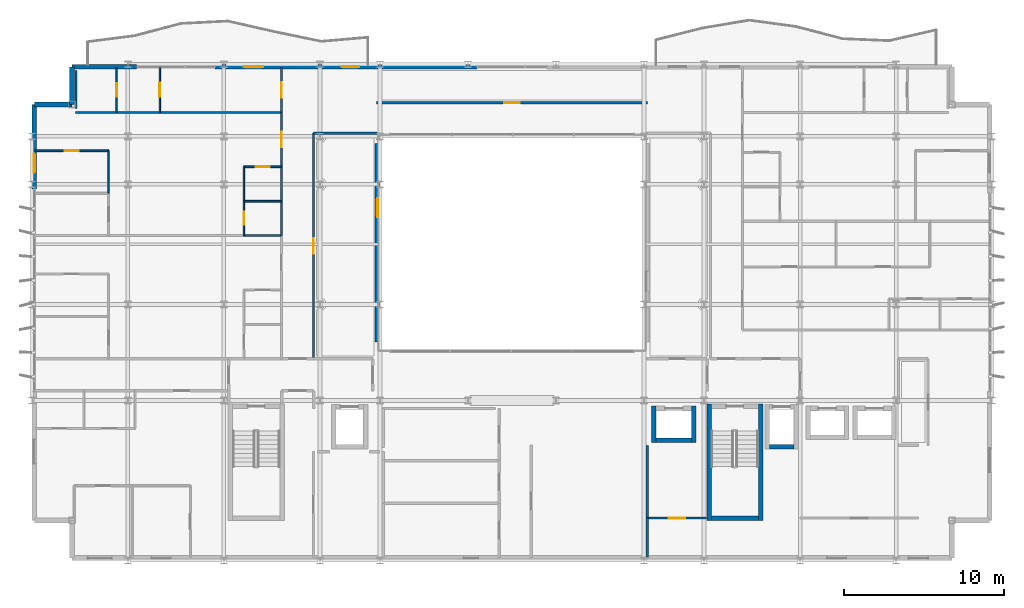
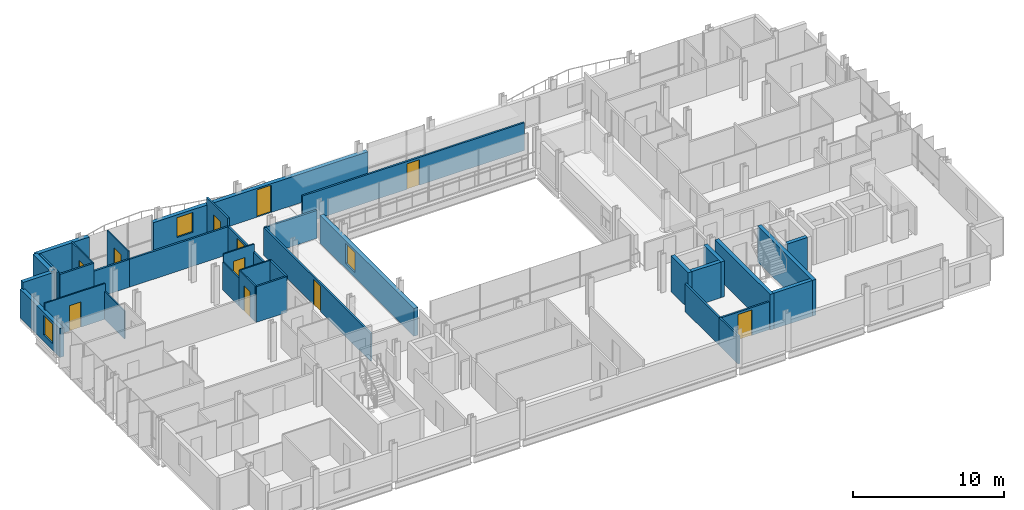
# One storey, part 31 of 38: 36 walls, 11 doors, 3 windows, 14 openings.
"""IFC4 building model written with IfcOpenShell, lengths in metres."""

import ifcopenshell
import ifcopenshell.guid

model = None  # the IFC model being written
_history = None  # IfcOwnerHistory: only IFC2X3 demands one
_inside = {}  # id of a spatial element -> (the spatial element, [elements in it])
_under = {}  # id of a project, library or spatial element -> (it, [spatial elements below it])
_declared = {}  # id of a project -> (the project, [libraries it declares])
_typed = {}  # id of a type object -> (the type object, [elements of that type])
_made_of = {}  # id of a material, layer set ... -> (it, [elements and type objects made of it])


def new_model(schema):
    """Start an empty IFC model of exactly this schema.

    Asked for "IFC4X3", IfcOpenShell would pick the latest addendum, in which some entities
    have other attributes; the version numbers below select the first issue.
    IFC2X3 requires an IfcOwnerHistory on every rooted entity: one is made here for all.
    """
    global model, _history
    if schema == "IFC4X3":
        model = ifcopenshell.file(schema_version=(4, 3, 0, 0))
    else:
        model = ifcopenshell.file(schema=schema)
    _inside.clear()
    _under.clear()
    _declared.clear()
    _typed.clear()
    _made_of.clear()
    _history = None
    if model.schema == "IFC2X3":
        org = make("IfcOrganization", Name="unknown")
        user = make(
            "IfcPersonAndOrganization",
            ThePerson=make("IfcPerson", FamilyName="unknown"),
            TheOrganization=org,
        )
        app = make(
            "IfcApplication",
            ApplicationDeveloper=org,
            Version="unknown",
            ApplicationFullName="unknown",
            ApplicationIdentifier="unknown",
        )
        _history = make(
            "IfcOwnerHistory",
            OwningUser=user,
            OwningApplication=app,
            ChangeAction="ADDED",
            CreationDate=0,
        )
    return model


def make(cls, **values):
    """One entity of the class cls with the attributes given. An attribute that is None is left unset."""
    return model.create_entity(
        cls, **{name: value for name, value in values.items() if value is not None}
    )


def rooted(cls, **values):
    """An entity with a GlobalId (a new one), such as an element, a storey or a relation."""
    return make(cls, GlobalId=ifcopenshell.guid.new(), OwnerHistory=_history, **values)


def si_unit(unit_type, name, prefix=None):
    """IfcSIUnit, for example si_unit("LENGTHUNIT", "METRE", prefix="MILLI")."""
    return make("IfcSIUnit", UnitType=unit_type, Prefix=prefix, Name=name)


def assignment(units):
    """IfcUnitAssignment: the units of a project."""
    return None if units is None else make("IfcUnitAssignment", Units=units)


def point(xyz):
    """IfcCartesianPoint."""
    return None if xyz is None else make("IfcCartesianPoint", Coordinates=xyz)


def direction(xyz):
    """IfcDirection."""
    return None if xyz is None else make("IfcDirection", DirectionRatios=xyz)


def frame(location, z_axis=None, x_axis=None):
    """IfcAxis2Placement3D, a coordinate frame: its origin and axes. An axis left out is left unset."""
    return make(
        "IfcAxis2Placement3D",
        Location=point(location),
        Axis=direction(z_axis),
        RefDirection=direction(x_axis),
    )


def frame_2d(location, x_axis=None):
    """IfcAxis2Placement2D, a coordinate frame in the plane: its origin and x axis."""
    return make(
        "IfcAxis2Placement2D", Location=point(location), RefDirection=direction(x_axis)
    )


def origin():
    """The frame at (0, 0, 0) with its axes left unset."""
    return frame((0.0, 0.0, 0.0))


def place(relative_to, where):
    """IfcLocalPlacement: puts the frame where relative to a parent placement (None: the world)."""
    return make(
        "IfcLocalPlacement", PlacementRelTo=relative_to, RelativePlacement=where
    )


def context(
    kind, dimensions, precision=None, world=None, true_north=None, identifier=None
):
    """IfcGeometricRepresentationContext, for example the 3D "Model" context."""
    return make(
        "IfcGeometricRepresentationContext",
        ContextIdentifier=identifier,
        ContextType=kind,
        CoordinateSpaceDimension=dimensions,
        Precision=precision,
        WorldCoordinateSystem=world,
        TrueNorth=true_north,
    )


def subcontext(parent, identifier, kind, view, scale=None):
    """IfcGeometricRepresentationSubContext, for example "Body" below "Model"."""
    return make(
        "IfcGeometricRepresentationSubContext",
        ContextIdentifier=identifier,
        ContextType=kind,
        ParentContext=parent,
        TargetScale=scale,
        TargetView=view,
    )


def project(units=None, contexts=None):
    """IfcProject with its units and contexts."""
    return rooted(
        "IfcProject",
        Name="project",
        RepresentationContexts=contexts,
        UnitsInContext=assignment(units),
    )


def spatial(cls, under=None, at=None, **own):
    """A site, building, storey or space (cls), placed at a placement, below another one or the project."""
    s = rooted(cls, ObjectPlacement=at, **own)
    if under is not None:
        _under.setdefault(under.id(), (under, []))[1].append(s)
    return s


def profile(cls, at=None, kind="AREA", **sizes):
    """A parametric profile (cls). Its sizes go by their IFC names, for example OverallWidth=200.0."""
    return make(cls, ProfileType=kind, Position=at, **sizes)


def rectangle(**sizes):
    """IfcRectangleProfileDef."""
    return profile("IfcRectangleProfileDef", **sizes)


def extrude(swept, where, along, depth):
    """IfcExtrudedAreaSolid: the profile swept, set in the frame where, extruded along a direction by depth."""
    return make(
        "IfcExtrudedAreaSolid",
        SweptArea=swept,
        Position=where,
        ExtrudedDirection=direction(along),
        Depth=depth,
    )


def shape(context_of_items, identifier, shape_type, items):
    """IfcShapeRepresentation: the items that make up one representation, for example the "Body"."""
    return make(
        "IfcShapeRepresentation",
        ContextOfItems=context_of_items,
        RepresentationIdentifier=identifier,
        RepresentationType=shape_type,
        Items=items,
    )


def material(Name=None, Category=None):
    """IfcMaterial."""
    return make("IfcMaterial", Name=Name, Category=Category)


def layer(
    of_material, thickness, ventilated=None, Name=None, Category=None, Priority=None
):
    """IfcMaterialLayer: one layer of a wall or slab, of a material (None: an air gap)."""
    return make(
        "IfcMaterialLayer",
        Material=of_material,
        LayerThickness=thickness,
        IsVentilated=ventilated,
        Name=Name,
        Category=Category,
        Priority=Priority,
    )


def layer_set(layers, Name=None):
    """IfcMaterialLayerSet."""
    return make("IfcMaterialLayerSet", MaterialLayers=layers, LayerSetName=Name)


def made_of(thing, what):
    """Note that an element or type object is made of a material, layer set ...; save() writes the relation."""
    if what is not None:
        _made_of.setdefault(what.id(), (what, []))[1].append(thing)
    return thing


def type_object(cls, material=None, **own):
    """A type object (cls), such as IfcWallType, which elements share."""
    return made_of(rooted(cls, **own), material)


def element(
    cls,
    number,
    at=None,
    inside=None,
    cuts=None,
    type_object=None,
    material=None,
    context=None,
    identifier="Body",
    shape_type=None,
    held_by="IfcProductDefinitionShape",
    body=None,
    shapes=None,
    **own,
):
    """One element of the class cls, such as IfcWall. Its Tag is "e" and its number.

    at: its placement. inside: the storey or other place that contains it. cuts: it is an
    opening in that element (IfcRelVoidsElement). A single representation is given by context,
    identifier, shape_type and body (its items); several are given by shapes. held_by: the class
    of the entity that holds the representations. save() writes the other relations.
    """
    e = rooted(cls, Tag="e%d" % number, ObjectPlacement=at, **own)
    if body is not None:
        shapes = [shape(context, identifier, shape_type, body)]
    if shapes is not None:
        e.Representation = make(held_by, Representations=shapes)
    if inside is not None:
        _inside.setdefault(inside.id(), (inside, []))[1].append(e)
    if cuts is not None:
        rooted(
            "IfcRelVoidsElement", RelatingBuildingElement=cuts, RelatedOpeningElement=e
        )
    if type_object is not None:
        _typed.setdefault(type_object.id(), (type_object, []))[1].append(e)
    return made_of(e, material)


def fill(opening, filler):
    """IfcRelFillsElement: the door or window that sits in an opening."""
    return rooted(
        "IfcRelFillsElement",
        RelatingOpeningElement=opening,
        RelatedBuildingElement=filler,
    )


def aggregate(whole, parts):
    """IfcRelAggregates: a whole, such as a stair, and the parts it consists of."""
    return rooted("IfcRelAggregates", RelatingObject=whole, RelatedObjects=parts)


def save(model, path):
    """Write the relations noted so far, then the file.

    IfcRelAggregates (storeys below a building ...), IfcRelContainedInSpatialStructure (elements
    in a storey), IfcRelDefinesByType, IfcRelAssociatesMaterial and IfcRelDeclares: one each for
    every whole, place, type object, material and project.
    """
    for whole, parts in _under.values():
        aggregate(whole, parts)
    for where, things in _inside.values():
        rooted(
            "IfcRelContainedInSpatialStructure",
            RelatedElements=things,
            RelatingStructure=where,
        )
    for kind, things in _typed.values():
        rooted("IfcRelDefinesByType", RelatedObjects=things, RelatingType=kind)
    for what, things in _made_of.values():
        rooted("IfcRelAssociatesMaterial", RelatedObjects=things, RelatingMaterial=what)
    for by, libraries in _declared.values():
        rooted("IfcRelDeclares", RelatingContext=by, RelatedDefinitions=libraries)
    model.write(path)


model = new_model("IFC4")

# Units and contexts
model_context = context("Model", 3, precision=1e-05, world=origin(), true_north=direction((0.0, 1.0)))
body_context = subcontext(model_context, "Body", "Model", "MODEL_VIEW")
ifc_project = project(units=[si_unit("LENGTHUNIT", "METRE"), si_unit("AREAUNIT", "SQUARE_METRE"), si_unit("VOLUMEUNIT", "CUBIC_METRE"), si_unit("PLANEANGLEUNIT", "RADIAN"), si_unit("MASSUNIT", "GRAM", prefix="KILO")], contexts=[model_context])

# Site, building, storey
site_placement = place(None, origin())
site = spatial("IfcSite", under=ifc_project, at=site_placement, CompositionType="ELEMENT")
building_placement = place(site_placement, origin())
building = spatial("IfcBuilding", under=site, at=building_placement, Name="Brevholm Reach", CompositionType="ELEMENT")
storey_placement = place(building_placement, frame((0.0, 0.0, 141.800048828125)))
storey = spatial("IfcBuildingStorey", under=building, at=storey_placement, Name="L42", CompositionType="ELEMENT", Elevation=141.800048828125)

# Walls
ifc_material_1 = material(Name="Concrete C50/60", Category="concrete")
ifc_layer_1 = layer(ifc_material_1, 0.280029296875)
ifc_layer_set_1 = layer_set([ifc_layer_1], Name="Concrete C50/60")
wall_type_1 = type_object("IfcWallType", Name="WAL-COR-280", PredefinedType="SHEAR", material=ifc_layer_set_1)
for number, where, z_axis, x_axis, name in (
    (1, (42.31005859375, 2.5, 0.0), (0.0, 0.0, 1.0), (0.0, 1.0, 0.0), "L42 Escape Stair ST-2 Core Wall W"),
    (2, (45.5400390625, 2.5, 0.0), (0.0, 0.0, 1.0), (0.0, 1.0, 0.0), "L42 Escape Stair ST-2 Core Wall E"),
):
    element("IfcWall", number, at=place(storey_placement, frame(where, z_axis=z_axis, x_axis=x_axis)), inside=storey, type_object=wall_type_1, Name=name, PredefinedType="SHEAR", context=body_context, shape_type="SweptSolid", body=[
        extrude(rectangle(XDim=7.280029296875, YDim=0.280029296875, at=frame_2d((3.64013671875, 0.0))), origin(), (0.0, 0.0, 1.0), 2.8798828125),
    ])
wall_1_placement = place(storey_placement, frame((42.449951171875, 2.639892578125, 0.0), z_axis=(0.0, 0.0, 1.0), x_axis=(1.0, 0.0, 0.0)))
element("IfcWall", 3, at=wall_1_placement, inside=storey, type_object=wall_type_1, Name="L42 Escape Stair ST-2 Core Wall S", PredefinedType="SHEAR", context=body_context, shape_type="SweptSolid", body=[
    extrude(rectangle(XDim=2.949951171875, YDim=0.280029296875, at=frame_2d((1.47509765625, 0.0))), origin(), (0.0, 0.0, 1.0), 2.8798828125),
])
wall_2_placement = place(storey_placement, frame((46.090087890625, 7.10009765625, 0.0), z_axis=(0.0, 0.0, 1.0), x_axis=(1.0, 0.0, 0.0)))
element("IfcWall", 4, at=wall_2_placement, inside=storey, type_object=wall_type_1, Name="L42 Lift FFL-2 Shaft Wall S", PredefinedType="SHEAR", context=body_context, shape_type="SweptSolid", body=[
    extrude(rectangle(XDim=1.52001953125, YDim=0.280029296875, at=frame_2d((0.760009765625, 0.0))), origin(), (0.0, 0.0, 1.0), 2.8798828125),
])
for number, where, z_axis, x_axis, name in (
    (5, (38.8701171875, 7.360107421875, 0.0), (0.0, 0.0, 1.0), (0.0, 1.0, 0.0), "L42 Lift PL-S1 Shaft Wall W"),
    (6, (41.3701171875, 7.360107421875, 0.0), (0.0, 0.0, 1.0), (0.0, 1.0, 0.0), "L42 Lift PL-S1 Shaft Wall E"),
):
    element("IfcWall", number, at=place(storey_placement, frame(where, z_axis=z_axis, x_axis=x_axis)), inside=storey, type_object=wall_type_1, Name=name, PredefinedType="SHEAR", context=body_context, shape_type="SweptSolid", body=[
        extrude(rectangle(XDim=2.27978515625, YDim=0.280029296875, at=frame_2d((1.139892578125, 0.0))), origin(), (0.0, 0.0, 1.0), 2.8798828125),
    ])
wall_3_placement = place(storey_placement, frame((39.010009765625, 7.5, 0.0), z_axis=(0.0, 0.0, 1.0), x_axis=(1.0, 0.0, 0.0)))
element("IfcWall", 7, at=wall_3_placement, inside=storey, type_object=wall_type_1, Name="L42 Lift PL-S1 Shaft Wall S", PredefinedType="SHEAR", context=body_context, shape_type="SweptSolid", body=[
    extrude(rectangle(XDim=2.219970703125, YDim=0.280029296875, at=frame_2d((1.10986328125, 0.0))), origin(), (0.0, 0.0, 1.0), 2.8798828125),
])
ifc_material_2 = material(Name="Concrete C40/50", Category="concrete")
ifc_layer_2 = layer(ifc_material_2, 0.300048828125)
ifc_layer_set_2 = layer_set([ifc_layer_2], Name="Concrete C40/50")
wall_type_2 = type_object("IfcWallType", Name="WAL-EXT-300", PredefinedType="STANDARD", material=ifc_layer_set_2)
for number, where, z_axis, x_axis, name in (
    (8, (2.5, 30.85009765625, 0.0), (0.0, 0.0, 1.0), (0.0, -1.0, 0.0), "L42 Facade Wall WAL-L42-CNW1"),
    (9, (2.5, 28.5, 0.0), (0.0, 0.0, 1.0), (-1.0, 0.0, 0.0), "L42 Facade Wall WAL-L42-CNW2"),
):
    element("IfcWall", number, at=place(storey_placement, frame(where, z_axis=z_axis, x_axis=x_axis)), inside=storey, type_object=wall_type_2, Name=name, PredefinedType="STANDARD", context=body_context, shape_type="SweptSolid", body=[
        extrude(rectangle(XDim=2.35009765625, YDim=0.300048828125, at=frame_2d((1.175048828125, 0.0))), origin(), (0.0, 0.0, 1.0), 2.8798828125),
    ])

# Wall, opening, window
wall_4_placement = place(storey_placement, frame((0.14990234375, 28.5, 0.0), z_axis=(0.0, 0.0, 1.0), x_axis=(0.0, -1.0, 0.0)))
wall_4 = element("IfcWall", 10, at=wall_4_placement, inside=storey, type_object=wall_type_2, Name="L42 Facade Wall WAL-L42-W-N", PredefinedType="STANDARD", context=body_context, shape_type="SweptSolid", body=[
    extrude(rectangle(XDim=5.280029296875, YDim=0.300048828125, at=frame_2d((2.64013671875, 0.0))), origin(), (0.0, 0.0, 1.0), 2.32177734375),
])
opening_1_placement = place(wall_4_placement, frame((3.080078125, 0.0, 0.501953125)))
opening_1 = element("IfcOpeningElement", 11, at=opening_1_placement, cuts=wall_4, Name="Opening WN-08", PredefinedType="OPENING", context=body_context, shape_type="SweptSolid", body=[
    extrude(rectangle(XDim=1.199951171875, YDim=1.60009765625, at=frame_2d((0.60009765625, 0.800048828125))), frame((0.0, 0.159912109375, 0.0), z_axis=(0.0, -1.0, 0.0), x_axis=(1.0, 0.0, 0.0)), (0.0, 0.0, 1.0), 0.320068359375),
])
ifc_material_3 = material(Name="Dark Anodised Aluminium and Solar-Control IGU Glass", Category="aluminium")
window_type = type_object("IfcWindowType", Name="WIN-RES-1200", PartitioningType="SINGLE_PANEL", PredefinedType="WINDOW", material=ifc_material_3)
window_1_placement = place(opening_1_placement, origin())
window_1 = element("IfcWindow", 12, at=window_1_placement, inside=storey, type_object=window_type, Name="L42 Window WIN-L42-WN-1", OverallHeight=1.60009765625, OverallWidth=1.199951171875, PartitioningType="SINGLE_PANEL", PredefinedType="WINDOW", context=body_context, shape_type="SweptSolid", body=[
    extrude(rectangle(XDim=1.199951171875, YDim=1.60009765625, at=frame_2d((0.60009765625, 0.800048828125))), frame((0.0, 0.030029296875, 0.0), z_axis=(0.0, -1.0, 0.0), x_axis=(1.0, 0.0, 0.0)), (0.0, 0.0, 1.0), 0.06005859375),
])
fill(opening_1, window_1)

# Wall
wall_5_placement = place(storey_placement, frame((2.5, 30.85009765625, 0.0), z_axis=(0.0, 0.0, 1.0), x_axis=(1.0, 0.0, 0.0)))
element("IfcWall", 13, at=wall_5_placement, inside=storey, type_object=wall_type_2, Name="L42 Facade Wall WAL-L42-NP-W0", PredefinedType="STANDARD", context=body_context, shape_type="SweptSolid", body=[
    extrude(rectangle(XDim=4.050048828125, YDim=0.300048828125, at=frame_2d((2.02490234375, 0.0))), origin(), (0.0, 0.0, 1.0), 2.8798828125),
])

# Wall, openings, door, window
wall_6_placement = place(storey_placement, frame((11.449951171875, 30.85009765625, 0.0), z_axis=(0.0, 0.0, 1.0), x_axis=(1.0, 0.0, 0.0)))
wall_6 = element("IfcWall", 14, at=wall_6_placement, inside=storey, type_object=wall_type_2, Name="L42 Facade Wall WAL-L42-NP-WL", PredefinedType="STANDARD", context=body_context, shape_type="SweptSolid", body=[
    extrude(rectangle(XDim=16.35009765625, YDim=0.300048828125, at=frame_2d((8.175048828125, 0.0))), origin(), (0.0, 0.0, 1.0), 2.32177734375),
])
opening_2_placement = place(wall_6_placement, frame((7.89794921875, 0.0, 0.0)))
opening_2 = element("IfcOpeningElement", 15, at=opening_2_placement, cuts=wall_6, Name="Opening BD-01", PredefinedType="OPENING", context=body_context, shape_type="SweptSolid", body=[
    extrude(rectangle(XDim=1.10009765625, YDim=2.199951171875, at=frame_2d((0.550048828125, 1.10009765625))), frame((0.0, 0.159912109375, 0.0), z_axis=(0.0, -1.0, 0.0), x_axis=(1.0, 0.0, 0.0)), (0.0, 0.0, 1.0), 0.320068359375),
])
opening_3_placement = place(wall_6_placement, frame((1.800048828125, 0.0, 0.501953125)))
opening_3 = element("IfcOpeningElement", 16, at=opening_3_placement, cuts=wall_6, Name="Opening WN-08", PredefinedType="OPENING", context=body_context, shape_type="SweptSolid", body=[
    extrude(rectangle(XDim=1.199951171875, YDim=1.60009765625, at=frame_2d((0.60009765625, 0.800048828125))), frame((0.0, 0.159912109375, 0.0), z_axis=(0.0, -1.0, 0.0), x_axis=(1.0, 0.0, 0.0)), (0.0, 0.0, 1.0), 0.320068359375),
])
ifc_material_4 = material(Name="Dark Anodised Aluminium and Triple-Glazed Glass", Category="aluminium")
door_type_1 = type_object("IfcDoorType", Name="DOR-BALC-1100", OperationType="NOTDEFINED", PredefinedType="DOOR", material=ifc_material_4)
door_1_placement = place(opening_2_placement, origin())
door_1 = element("IfcDoor", 17, at=door_1_placement, inside=storey, type_object=door_type_1, Name="L42 Exterior Door DOR-L42-BL-NW", OperationType="SINGLE_SWING_RIGHT", OverallHeight=2.199951171875, OverallWidth=1.10009765625, PredefinedType="DOOR", context=body_context, shape_type="SweptSolid", body=[
    extrude(rectangle(XDim=1.10009765625, YDim=2.199951171875, at=frame_2d((0.550048828125, 1.10009765625))), frame((0.0, 0.02490234375, 0.0), z_axis=(0.0, -1.0, 0.0), x_axis=(1.0, 0.0, 0.0)), (0.0, 0.0, 1.0), 0.050048828125),
])
fill(opening_2, door_1)
window_2_placement = place(opening_3_placement, origin())
window_2 = element("IfcWindow", 18, at=window_2_placement, inside=storey, type_object=window_type, Name="L42 Window WIN-L42-NP-WL1", OverallHeight=1.60009765625, OverallWidth=1.199951171875, PartitioningType="SINGLE_PANEL", PredefinedType="WINDOW", context=body_context, shape_type="SweptSolid", body=[
    extrude(rectangle(XDim=1.199951171875, YDim=1.60009765625, at=frame_2d((0.60009765625, 0.800048828125))), frame((0.0, 0.030029296875, 0.0), z_axis=(0.0, -1.0, 0.0), x_axis=(1.0, 0.0, 0.0)), (0.0, 0.0, 1.0), 0.06005859375),
])
fill(opening_3, window_2)

# Wall, opening, window
wall_7_placement = place(storey_placement, frame((21.60009765625, 26.050048828125, 0.0), z_axis=(0.0, 0.0, 1.0), x_axis=(0.0, -1.0, 0.0)))
wall_7 = element("IfcWall", 19, at=wall_7_placement, inside=storey, type_object=wall_type_2, Name="L42 Facade Wall WAL-L42-AT-W", PredefinedType="STANDARD", context=body_context, shape_type="SweptSolid", body=[
    extrude(rectangle(XDim=12.400146484375, YDim=0.300048828125, at=frame_2d((6.2001953125, 0.0))), origin(), (0.0, 0.0, 1.0), 2.24267578125),
])
opening_4_placement = place(wall_7_placement, frame((3.39990234375, 0.0, 0.423095703125)))
opening_4 = element("IfcOpeningElement", 20, at=opening_4_placement, cuts=wall_7, Name="Opening WN-08", PredefinedType="OPENING", context=body_context, shape_type="SweptSolid", body=[
    extrude(rectangle(XDim=1.199951171875, YDim=1.60009765625, at=frame_2d((0.60009765625, 0.800048828125))), frame((0.0, 0.159912109375, 0.0), z_axis=(0.0, -1.0, 0.0), x_axis=(1.0, 0.0, 0.0)), (0.0, 0.0, 1.0), 0.320068359375),
])
window_3_placement = place(opening_4_placement, origin())
window_3 = element("IfcWindow", 21, at=window_3_placement, inside=storey, type_object=window_type, Name="L42 Window WIN-L42-AT-W1", OverallHeight=1.60009765625, OverallWidth=1.199951171875, PartitioningType="SINGLE_PANEL", PredefinedType="WINDOW", context=body_context, shape_type="SweptSolid", body=[
    extrude(rectangle(XDim=1.199951171875, YDim=1.60009765625, at=frame_2d((0.60009765625, 0.800048828125))), frame((0.0, 0.030029296875, 0.0), z_axis=(0.0, -1.0, 0.0), x_axis=(1.0, 0.0, 0.0)), (0.0, 0.0, 1.0), 0.06005859375),
])
fill(opening_4, window_3)

# Wall
ifc_material_5 = material(Name="Moisture-Resistant Acoustic Gypsum Stud Partition 100 mm", Category="gypsum")
ifc_layer_3 = layer(ifc_material_5, 0.10009765625)
ifc_layer_set_3 = layer_set([ifc_layer_3], Name="Moisture-Resistant Acoustic Gypsum Stud Partition 100 mm")
wall_type_3 = type_object("IfcWallType", Name="WAL-PRT-100", PredefinedType="PARTITIONING", material=ifc_layer_set_3)
wall_8_placement = place(storey_placement, frame((13.25, 22.449951171875, 0.0), z_axis=(0.0, 0.0, 1.0), x_axis=(1.0, 0.0, 0.0)))
element("IfcWall", 22, at=wall_8_placement, inside=storey, type_object=wall_type_3, Name="L42 Internal Partition 080", PredefinedType="PARTITIONING", context=body_context, shape_type="SweptSolid", body=[
    extrude(rectangle(XDim=2.345947265625, YDim=0.10009765625, at=frame_2d((1.1728515625, 0.0))), origin(), (0.0, 0.0, 1.0), 2.8798828125),
])

# Wall, opening, door
wall_9_placement = place(storey_placement, frame((13.25, 20.303955078125, 0.0), z_axis=(0.0, 0.0, 1.0), x_axis=(0.0, 1.0, 0.0)))
wall_9 = element("IfcWall", 23, at=wall_9_placement, inside=storey, type_object=wall_type_3, Name="L42 Internal Partition 081", PredefinedType="PARTITIONING", context=body_context, shape_type="SweptSolid", body=[
    extrude(rectangle(XDim=2.14599609375, YDim=0.10009765625, at=frame_2d((1.072998046875, 0.0))), origin(), (0.0, 0.0, 1.0), 2.8798828125),
])
opening_5_placement = place(wall_9_placement, frame((0.6630859375, 0.0, 0.0)))
opening_5 = element("IfcOpeningElement", 24, at=opening_5_placement, cuts=wall_9, Name="Opening ID-03", PredefinedType="OPENING", context=body_context, shape_type="SweptSolid", body=[
    extrude(rectangle(XDim=0.820068359375, YDim=2.02001953125, at=frame_2d((0.41015625, 1.010009765625))), frame((0.0, 0.06005859375, 0.0), z_axis=(0.0, -1.0, 0.0), x_axis=(1.0, 0.0, 0.0)), (0.0, 0.0, 1.0), 0.1201171875),
])
ifc_material_6 = material(Name="Moisture-Resistant Painted Timber Internal Bathroom Door", Category="wood")
door_type_2 = type_object("IfcDoorType", Name="DOR-BATH-820", OperationType="NOTDEFINED", PredefinedType="DOOR", material=ifc_material_6)
door_2_placement = place(opening_5_placement, origin())
door_2 = element("IfcDoor", 25, at=door_2_placement, inside=storey, type_object=door_type_2, Name="L42 Internal Door 035", OperationType="SINGLE_SWING_LEFT", OverallHeight=2.02001953125, OverallWidth=0.820068359375, PredefinedType="DOOR", context=body_context, shape_type="SweptSolid", body=[
    extrude(rectangle(XDim=0.820068359375, YDim=2.02001953125, at=frame_2d((0.41015625, 1.010009765625))), frame((0.0, 0.02490234375, 0.0), z_axis=(0.0, -1.0, 0.0), x_axis=(1.0, 0.0, 0.0)), (0.0, 0.0, 1.0), 0.050048828125),
])
fill(opening_5, door_2)

wall_10_placement = place(storey_placement, frame((13.25, 24.60595703125, 0.0), z_axis=(0.0, 0.0, 1.0), x_axis=(1.0, 0.0, 0.0)))
wall_10 = element("IfcWall", 26, at=wall_10_placement, inside=storey, type_object=wall_type_3, Name="L42 Internal Partition 082", PredefinedType="PARTITIONING", context=body_context, shape_type="SweptSolid", body=[
    extrude(rectangle(XDim=2.345947265625, YDim=0.10009765625, at=frame_2d((1.1728515625, 0.0))), origin(), (0.0, 0.0, 1.0), 2.8798828125),
])
opening_6_placement = place(wall_10_placement, frame((0.73291015625, 0.0, 0.0)))
opening_6 = element("IfcOpeningElement", 27, at=opening_6_placement, cuts=wall_10, Name="Opening ID-01", PredefinedType="OPENING", context=body_context, shape_type="SweptSolid", body=[
    extrude(rectangle(XDim=0.8798828125, YDim=2.0400390625, at=frame_2d((0.43994140625, 1.02001953125))), frame((0.0, 0.06005859375, 0.0), z_axis=(0.0, -1.0, 0.0), x_axis=(1.0, 0.0, 0.0)), (0.0, 0.0, 1.0), 0.1201171875),
])
ifc_material_7 = material(Name="Lacquered Ash Solid-Core Acoustic Internal Door", Category="timber")
door_type_3 = type_object("IfcDoorType", Name="DOR-INT-880", OperationType="NOTDEFINED", PredefinedType="DOOR", material=ifc_material_7)
door_3_placement = place(opening_6_placement, origin())
door_3 = element("IfcDoor", 28, at=door_3_placement, inside=storey, type_object=door_type_3, Name="L42 Internal Door 036", OperationType="SINGLE_SWING_RIGHT", OverallHeight=2.0400390625, OverallWidth=0.8798828125, PredefinedType="DOOR", context=body_context, shape_type="SweptSolid", body=[
    extrude(rectangle(XDim=0.8798828125, YDim=2.0400390625, at=frame_2d((0.43994140625, 1.02001953125))), frame((0.0, 0.02490234375, 0.0), z_axis=(0.0, -1.0, 0.0), x_axis=(1.0, 0.0, 0.0)), (0.0, 0.0, 1.0), 0.050048828125),
])
fill(opening_6, door_3)

# Walls
wall_11_placement = place(storey_placement, frame((13.25, 22.4541015625, 0.0), z_axis=(0.0, 0.0, 1.0), x_axis=(0.0, 1.0, 0.0)))
element("IfcWall", 29, at=wall_11_placement, inside=storey, type_object=wall_type_3, Name="L42 Internal Partition 083", PredefinedType="PARTITIONING", context=body_context, shape_type="SweptSolid", body=[
    extrude(rectangle(XDim=2.15185546875, YDim=0.10009765625, at=frame_2d((1.075927734375, 0.0))), origin(), (0.0, 0.0, 1.0), 2.24267578125),
])
wall_12_placement = place(storey_placement, frame((4.800048828125, 22.9541015625, 0.0), z_axis=(0.0, 0.0, 1.0), x_axis=(0.0, 1.0, 0.0)))
element("IfcWall", 30, at=wall_12_placement, inside=storey, type_object=wall_type_3, Name="L42 Internal Partition 086", PredefinedType="PARTITIONING", context=body_context, shape_type="SweptSolid", body=[
    extrude(rectangle(XDim=2.64599609375, YDim=0.10009765625, at=frame_2d((1.322998046875, 0.0))), origin(), (0.0, 0.0, 1.0), 2.24267578125),
])

# Wall, opening, door
wall_13_placement = place(storey_placement, frame((0.199951171875, 25.60009765625, 0.0), z_axis=(0.0, 0.0, 1.0), x_axis=(1.0, 0.0, 0.0)))
wall_13 = element("IfcWall", 31, at=wall_13_placement, inside=storey, type_object=wall_type_3, Name="L42 Internal Partition 087", PredefinedType="PARTITIONING", context=body_context, shape_type="SweptSolid", body=[
    extrude(rectangle(XDim=4.60009765625, YDim=0.10009765625, at=frame_2d((2.300048828125, 0.0))), origin(), (0.0, 0.0, 1.0), 2.8798828125),
])
opening_7_placement = place(wall_13_placement, frame((1.860107421875, 0.0, 0.0)))
opening_7 = element("IfcOpeningElement", 32, at=opening_7_placement, cuts=wall_13, Name="Opening ID-01", PredefinedType="OPENING", context=body_context, shape_type="SweptSolid", body=[
    extrude(rectangle(XDim=0.8798828125, YDim=2.0400390625, at=frame_2d((0.43994140625, 1.02001953125))), frame((0.0, 0.06005859375, 0.0), z_axis=(0.0, -1.0, 0.0), x_axis=(1.0, 0.0, 0.0)), (0.0, 0.0, 1.0), 0.1201171875),
])
door_4_placement = place(opening_7_placement, origin())
door_4 = element("IfcDoor", 33, at=door_4_placement, inside=storey, type_object=door_type_3, Name="L42 Internal Door 038", OperationType="SINGLE_SWING_RIGHT", OverallHeight=2.0400390625, OverallWidth=0.8798828125, PredefinedType="DOOR", context=body_context, shape_type="SweptSolid", body=[
    extrude(rectangle(XDim=0.8798828125, YDim=2.0400390625, at=frame_2d((0.43994140625, 1.02001953125))), frame((0.0, 0.02490234375, 0.0), z_axis=(0.0, -1.0, 0.0), x_axis=(1.0, 0.0, 0.0)), (0.0, 0.0, 1.0), 0.050048828125),
])
fill(opening_7, door_4)

wall_14_placement = place(storey_placement, frame((5.300048828125, 28.00390625, 0.0), z_axis=(0.0, 0.0, 1.0), x_axis=(0.0, 1.0, 0.0)))
wall_14 = element("IfcWall", 34, at=wall_14_placement, inside=storey, type_object=wall_type_3, Name="L42 Internal Partition 113", PredefinedType="PARTITIONING", context=body_context, shape_type="SweptSolid", body=[
    extrude(rectangle(XDim=2.796142578125, YDim=0.10009765625, at=frame_2d((1.39794921875, 0.0))), origin(), (0.0, 0.0, 1.0), 2.8798828125),
])
opening_8_placement = place(wall_14_placement, frame((0.988037109375, 0.0, 0.0)))
opening_8 = element("IfcOpeningElement", 35, at=opening_8_placement, cuts=wall_14, Name="Opening ID-03", PredefinedType="OPENING", context=body_context, shape_type="SweptSolid", body=[
    extrude(rectangle(XDim=0.820068359375, YDim=2.02001953125, at=frame_2d((0.41015625, 1.010009765625))), frame((0.0, 0.06005859375, 0.0), z_axis=(0.0, -1.0, 0.0), x_axis=(1.0, 0.0, 0.0)), (0.0, 0.0, 1.0), 0.1201171875),
])
door_5_placement = place(opening_8_placement, origin())
door_5 = element("IfcDoor", 36, at=door_5_placement, inside=storey, type_object=door_type_2, Name="L42 Access Door 048", OperationType="SINGLE_SWING_RIGHT", OverallHeight=2.02001953125, OverallWidth=0.820068359375, PredefinedType="DOOR", context=body_context, shape_type="SweptSolid", body=[
    extrude(rectangle(XDim=0.820068359375, YDim=2.02001953125, at=frame_2d((0.41015625, 1.010009765625))), frame((0.0, 0.02490234375, 0.0), z_axis=(0.0, -1.0, 0.0), x_axis=(1.0, 0.0, 0.0)), (0.0, 0.0, 1.0), 0.050048828125),
])
fill(opening_8, door_5)

wall_15_placement = place(storey_placement, frame((8.0, 28.00390625, 0.0), z_axis=(0.0, 0.0, 1.0), x_axis=(0.0, 1.0, 0.0)))
wall_15 = element("IfcWall", 37, at=wall_15_placement, inside=storey, type_object=wall_type_3, Name="L42 Internal Partition 114", PredefinedType="PARTITIONING", context=body_context, shape_type="SweptSolid", body=[
    extrude(rectangle(XDim=2.796142578125, YDim=0.10009765625, at=frame_2d((1.39794921875, 0.0))), origin(), (0.0, 0.0, 1.0), 2.8798828125),
])
opening_9_placement = place(wall_15_placement, frame((0.9580078125, 0.0, 0.0)))
opening_9 = element("IfcOpeningElement", 38, at=opening_9_placement, cuts=wall_15, Name="Opening ID-01", PredefinedType="OPENING", context=body_context, shape_type="SweptSolid", body=[
    extrude(rectangle(XDim=0.8798828125, YDim=2.0400390625, at=frame_2d((0.43994140625, 1.02001953125))), frame((0.0, 0.06005859375, 0.0), z_axis=(0.0, -1.0, 0.0), x_axis=(1.0, 0.0, 0.0)), (0.0, 0.0, 1.0), 0.1201171875),
])
door_6_placement = place(opening_9_placement, origin())
door_6 = element("IfcDoor", 39, at=door_6_placement, inside=storey, type_object=door_type_3, Name="L42 Internal Door 046", OperationType="SINGLE_SWING_RIGHT", OverallHeight=2.0400390625, OverallWidth=0.8798828125, PredefinedType="DOOR", context=body_context, shape_type="SweptSolid", body=[
    extrude(rectangle(XDim=0.8798828125, YDim=2.0400390625, at=frame_2d((0.43994140625, 1.02001953125))), frame((0.0, 0.02490234375, 0.0), z_axis=(0.0, -1.0, 0.0), x_axis=(1.0, 0.0, 0.0)), (0.0, 0.0, 1.0), 0.050048828125),
])
fill(opening_9, door_6)

# Walls
ifc_material_8 = material(Name="Twin-Stud Acoustic Fire-Rated Gypsum Partition 140 mm", Category="gypsum")
ifc_layer_4 = layer(ifc_material_8, 0.139892578125)
ifc_layer_set_4 = layer_set([ifc_layer_4], Name="Twin-Stud Acoustic Fire-Rated Gypsum Partition 140 mm")
wall_type_4 = type_object("IfcWallType", Name="WAL-PRT-140", PredefinedType="PARTITIONING", material=ifc_layer_set_4)
wall_16_placement = place(storey_placement, frame((38.449951171875, 0.179931640625, 0.0), z_axis=(0.0, 0.0, 1.0), x_axis=(0.0, 1.0, 0.0)))
element("IfcWall", 40, at=wall_16_placement, inside=storey, type_object=wall_type_4, Name="L42 Internal Partition 010", PredefinedType="PARTITIONING", context=body_context, shape_type="SweptSolid", body=[
    extrude(rectangle(XDim=2.4814453125, YDim=0.139892578125, at=frame_2d((1.24072265625, 0.0))), origin(), (0.0, 0.0, 1.0), 2.24267578125),
])
wall_17_placement = place(storey_placement, frame((38.449951171875, 2.642578125, 0.0), z_axis=(0.0, 0.0, 1.0), x_axis=(0.0, 1.0, 0.0)))
element("IfcWall", 41, at=wall_17_placement, inside=storey, type_object=wall_type_4, Name="L42 Internal Partition 011", PredefinedType="PARTITIONING", context=body_context, shape_type="SweptSolid", body=[
    extrude(rectangle(XDim=4.557373046875, YDim=0.139892578125, at=frame_2d((2.27880859375, 0.0))), origin(), (0.0, 0.0, 1.0), 2.24267578125),
])

# Wall, opening, door
wall_18_placement = place(storey_placement, frame((38.4541015625, 2.64990234375, 0.0), z_axis=(0.0, 0.0, 1.0), x_axis=(1.0, 0.0, 0.0)))
wall_18 = element("IfcWall", 42, at=wall_18_placement, inside=storey, type_object=wall_type_4, Name="L42 Internal Partition 013", PredefinedType="PARTITIONING", context=body_context, shape_type="SweptSolid", body=[
    extrude(rectangle(XDim=3.705810546875, YDim=0.139892578125, at=frame_2d((1.85302734375, 0.0))), origin(), (0.0, 0.0, 1.0), 2.24267578125),
])
opening_10_placement = place(wall_18_placement, frame((1.327880859375, 0.0, 0.0)))
opening_10 = element("IfcOpeningElement", 43, at=opening_10_placement, cuts=wall_18, Name="Opening FD-01", PredefinedType="OPENING", context=body_context, shape_type="SweptSolid", body=[
    extrude(rectangle(XDim=1.050048828125, YDim=2.06005859375, at=frame_2d((0.52490234375, 1.030029296875))), frame((0.0, 0.079833984375, 0.0), z_axis=(0.0, -1.0, 0.0), x_axis=(1.0, 0.0, 0.0)), (0.0, 0.0, 1.0), 0.159912109375),
])
ifc_material_9 = material(Name="Hardwood-Lipped Steel-Core Fire and Smoke Door", Category="steel")
door_type_4 = type_object("IfcDoorType", Name="DOR-INT-FD60S", OperationType="NOTDEFINED", PredefinedType="DOOR", material=ifc_material_9)
door_7_placement = place(opening_10_placement, origin())
door_7 = element("IfcDoor", 44, at=door_7_placement, inside=storey, type_object=door_type_4, Name="L42 Internal Door 006", OperationType="SINGLE_SWING_RIGHT", OverallHeight=2.06005859375, OverallWidth=1.050048828125, PredefinedType="DOOR", context=body_context, shape_type="SweptSolid", body=[
    extrude(rectangle(XDim=1.050048828125, YDim=2.06005859375, at=frame_2d((0.52490234375, 1.030029296875))), frame((0.0, 0.02490234375, 0.0), z_axis=(0.0, -1.0, 0.0), x_axis=(1.0, 0.0, 0.0)), (0.0, 0.0, 1.0), 0.050048828125),
])
fill(opening_10, door_7)

# Walls
wall_19_placement = place(storey_placement, frame((15.60009765625, 20.292724609375, 0.0), z_axis=(0.0, 0.0, 1.0), x_axis=(0.0, 1.0, 0.0)))
element("IfcWall", 45, at=wall_19_placement, inside=storey, type_object=wall_type_4, Name="L42 Internal Partition 037", PredefinedType="PARTITIONING", context=body_context, shape_type="SweptSolid", body=[
    extrude(rectangle(XDim=2.16845703125, YDim=0.139892578125, at=frame_2d((1.084228515625, 0.0))), origin(), (0.0, 0.0, 1.0), 2.8798828125),
])
wall_20_placement = place(storey_placement, frame((15.60009765625, 22.442626953125, 0.0), z_axis=(0.0, 0.0, 1.0), x_axis=(0.0, 1.0, 0.0)))
element("IfcWall", 46, at=wall_20_placement, inside=storey, type_object=wall_type_4, Name="L42 Internal Partition 038", PredefinedType="PARTITIONING", context=body_context, shape_type="SweptSolid", body=[
    extrude(rectangle(XDim=2.174560546875, YDim=0.139892578125, at=frame_2d((1.08740234375, 0.0))), origin(), (0.0, 0.0, 1.0), 2.24267578125),
])

# Wall, opening, door
wall_21_placement = place(storey_placement, frame((15.60009765625, 24.5986328125, 0.0), z_axis=(0.0, 0.0, 1.0), x_axis=(0.0, 1.0, 0.0)))
wall_21 = element("IfcWall", 47, at=wall_21_placement, inside=storey, type_object=wall_type_4, Name="L42 Internal Partition 039", PredefinedType="PARTITIONING", context=body_context, shape_type="SweptSolid", body=[
    extrude(rectangle(XDim=3.41259765625, YDim=0.139892578125, at=frame_2d((1.706298828125, 0.0))), origin(), (0.0, 0.0, 1.0), 2.24267578125),
])
opening_11_placement = place(wall_21_placement, frame((1.231201171875, 0.0, 0.0)))
opening_11 = element("IfcOpeningElement", 48, at=opening_11_placement, cuts=wall_21, Name="Opening ID-30", PredefinedType="OPENING", context=body_context, shape_type="SweptSolid", body=[
    extrude(rectangle(XDim=0.949951171875, YDim=2.050048828125, at=frame_2d((0.47509765625, 1.02490234375))), frame((0.0, 0.079833984375, 0.0), z_axis=(0.0, -1.0, 0.0), x_axis=(1.0, 0.0, 0.0)), (0.0, 0.0, 1.0), 0.159912109375),
])
ifc_material_10 = material(Name="European Oak Veneered Solid-Core Fire Entrance Door", Category="timber")
door_type_5 = type_object("IfcDoorType", Name="DOR-FLT-FD30S", OperationType="NOTDEFINED", PredefinedType="DOOR", material=ifc_material_10)
door_8_placement = place(opening_11_placement, origin())
door_8 = element("IfcDoor", 49, at=door_8_placement, inside=storey, type_object=door_type_5, Name="L42 Internal Door 019", OperationType="SINGLE_SWING_LEFT", OverallHeight=2.050048828125, OverallWidth=0.949951171875, PredefinedType="DOOR", context=body_context, shape_type="SweptSolid", body=[
    extrude(rectangle(XDim=0.949951171875, YDim=2.050048828125, at=frame_2d((0.47509765625, 1.02490234375))), frame((0.0, 0.02490234375, 0.0), z_axis=(0.0, -1.0, 0.0), x_axis=(1.0, 0.0, 0.0)), (0.0, 0.0, 1.0), 0.050048828125),
])
fill(opening_11, door_8)

wall_22_placement = place(storey_placement, frame((17.60009765625, 12.60400390625, 0.0), z_axis=(0.0, 0.0, 1.0), x_axis=(0.0, 1.0, 0.0)))
wall_22 = element("IfcWall", 50, at=wall_22_placement, inside=storey, type_object=wall_type_4, Name="L42 Internal Partition 040", PredefinedType="PARTITIONING", context=body_context, shape_type="SweptSolid", body=[
    extrude(rectangle(XDim=14.103271484375, YDim=0.139892578125, at=frame_2d((7.0517578125, 0.0))), origin(), (0.0, 0.0, 1.0), 2.24267578125),
])
opening_12_placement = place(wall_22_placement, frame((6.57666015625, 0.0, 0.0)))
opening_12 = element("IfcOpeningElement", 51, at=opening_12_placement, cuts=wall_22, Name="Opening ID-30", PredefinedType="OPENING", context=body_context, shape_type="SweptSolid", body=[
    extrude(rectangle(XDim=0.949951171875, YDim=2.050048828125, at=frame_2d((0.47509765625, 1.02490234375))), frame((0.0, 0.079833984375, 0.0), z_axis=(0.0, -1.0, 0.0), x_axis=(1.0, 0.0, 0.0)), (0.0, 0.0, 1.0), 0.159912109375),
])
door_9_placement = place(opening_12_placement, origin())
door_9 = element("IfcDoor", 52, at=door_9_placement, inside=storey, type_object=door_type_5, Name="L42 Internal Door 020", OperationType="SINGLE_SWING_RIGHT", OverallHeight=2.050048828125, OverallWidth=0.949951171875, PredefinedType="DOOR", context=body_context, shape_type="SweptSolid", body=[
    extrude(rectangle(XDim=0.949951171875, YDim=2.050048828125, at=frame_2d((0.47509765625, 1.02490234375))), frame((0.0, 0.02490234375, 0.0), z_axis=(0.0, -1.0, 0.0), x_axis=(1.0, 0.0, 0.0)), (0.0, 0.0, 1.0), 0.050048828125),
])
fill(opening_12, door_9)

wall_23_placement = place(storey_placement, frame((15.60009765625, 27.99267578125, 0.0), z_axis=(0.0, 0.0, 1.0), x_axis=(0.0, 1.0, 0.0)))
wall_23 = element("IfcWall", 53, at=wall_23_placement, inside=storey, type_object=wall_type_4, Name="L42 Internal Partition 041", PredefinedType="PARTITIONING", context=body_context, shape_type="SweptSolid", body=[
    extrude(rectangle(XDim=2.807373046875, YDim=0.139892578125, at=frame_2d((1.40380859375, 0.0))), origin(), (0.0, 0.0, 1.0), 2.8798828125),
])
opening_13_placement = place(wall_23_placement, frame((0.9287109375, 0.0, 0.0)))
opening_13 = element("IfcOpeningElement", 54, at=opening_13_placement, cuts=wall_23, Name="Opening ID-30", PredefinedType="OPENING", context=body_context, shape_type="SweptSolid", body=[
    extrude(rectangle(XDim=0.949951171875, YDim=2.050048828125, at=frame_2d((0.47509765625, 1.02490234375))), frame((0.0, 0.079833984375, 0.0), z_axis=(0.0, -1.0, 0.0), x_axis=(1.0, 0.0, 0.0)), (0.0, 0.0, 1.0), 0.159912109375),
])
door_10_placement = place(opening_13_placement, origin())
door_10 = element("IfcDoor", 55, at=door_10_placement, inside=storey, type_object=door_type_5, Name="L42 Internal Door 021", OperationType="SINGLE_SWING_LEFT", OverallHeight=2.050048828125, OverallWidth=0.949951171875, PredefinedType="DOOR", context=body_context, shape_type="SweptSolid", body=[
    extrude(rectangle(XDim=0.949951171875, YDim=2.050048828125, at=frame_2d((0.47509765625, 1.02490234375))), frame((0.0, 0.02490234375, 0.0), z_axis=(0.0, -1.0, 0.0), x_axis=(1.0, 0.0, 0.0)), (0.0, 0.0, 1.0), 0.050048828125),
])
fill(opening_13, door_10)

# Wall
wall_24_placement = place(storey_placement, frame((17.60400390625, 26.699951171875, 0.0), z_axis=(0.0, 0.0, 1.0), x_axis=(1.0, 0.0, 0.0)))
element("IfcWall", 56, at=wall_24_placement, inside=storey, type_object=wall_type_4, Name="L42 Internal Partition 052", PredefinedType="PARTITIONING", context=body_context, shape_type="SweptSolid", body=[
    extrude(rectangle(XDim=3.957275390625, YDim=0.139892578125, at=frame_2d((1.978515625, 0.0))), origin(), (0.0, 0.0, 1.0), 2.24267578125),
])

# Wall, opening, door
wall_25_placement = place(storey_placement, frame((21.542724609375, 28.60009765625, 0.0), z_axis=(0.0, 0.0, 1.0), x_axis=(1.0, 0.0, 0.0)))
wall_25 = element("IfcWall", 57, at=wall_25_placement, inside=storey, type_object=wall_type_4, Name="L42 Internal Partition 054", PredefinedType="PARTITIONING", context=body_context, shape_type="SweptSolid", body=[
    extrude(rectangle(XDim=16.91455078125, YDim=0.139892578125, at=frame_2d((8.457275390625, 0.0))), origin(), (0.0, 0.0, 1.0), 2.24267578125),
])
opening_14_placement = place(wall_25_placement, frame((7.982421875, 0.0, 0.0)))
opening_14 = element("IfcOpeningElement", 58, at=opening_14_placement, cuts=wall_25, Name="Opening ID-30", PredefinedType="OPENING", context=body_context, shape_type="SweptSolid", body=[
    extrude(rectangle(XDim=0.949951171875, YDim=2.050048828125, at=frame_2d((0.47509765625, 1.02490234375))), frame((0.0, 0.079833984375, 0.0), z_axis=(0.0, -1.0, 0.0), x_axis=(1.0, 0.0, 0.0)), (0.0, 0.0, 1.0), 0.159912109375),
])
door_11_placement = place(opening_14_placement, origin())
door_11 = element("IfcDoor", 59, at=door_11_placement, inside=storey, type_object=door_type_5, Name="L42 Internal Door 025", OperationType="SINGLE_SWING_LEFT", OverallHeight=2.050048828125, OverallWidth=0.949951171875, PredefinedType="DOOR", context=body_context, shape_type="SweptSolid", body=[
    extrude(rectangle(XDim=0.949951171875, YDim=2.050048828125, at=frame_2d((0.47509765625, 1.02490234375))), frame((0.0, 0.02490234375, 0.0), z_axis=(0.0, -1.0, 0.0), x_axis=(1.0, 0.0, 0.0)), (0.0, 0.0, 1.0), 0.050048828125),
])
fill(opening_14, door_11)

# Walls
wall_26_placement = place(storey_placement, frame((13.23876953125, 20.300048828125, 0.0), z_axis=(0.0, 0.0, 1.0), x_axis=(1.0, 0.0, 0.0)))
element("IfcWall", 60, at=wall_26_placement, inside=storey, type_object=wall_type_4, Name="L42 Internal Partition 077", PredefinedType="PARTITIONING", context=body_context, shape_type="SweptSolid", body=[
    extrude(rectangle(XDim=2.357177734375, YDim=0.139892578125, at=frame_2d((1.1787109375, 0.0))), origin(), (0.0, 0.0, 1.0), 2.8798828125),
])
wall_27_placement = place(storey_placement, frame((2.73876953125, 28.0, 0.0), z_axis=(0.0, 0.0, 1.0), x_axis=(1.0, 0.0, 0.0)))
element("IfcWall", 61, at=wall_27_placement, inside=storey, type_object=wall_type_4, Name="L42 Internal Partition 088", PredefinedType="PARTITIONING", context=body_context, shape_type="SweptSolid", body=[
    extrude(rectangle(XDim=2.572509765625, YDim=0.139892578125, at=frame_2d((1.2861328125, 0.0))), origin(), (0.0, 0.0, 1.0), 2.8798828125),
])
wall_28_placement = place(storey_placement, frame((5.292724609375, 28.0, 0.0), z_axis=(0.0, 0.0, 1.0), x_axis=(1.0, 0.0, 0.0)))
element("IfcWall", 62, at=wall_28_placement, inside=storey, type_object=wall_type_4, Name="L42 Internal Partition 089", PredefinedType="PARTITIONING", context=body_context, shape_type="SweptSolid", body=[
    extrude(rectangle(XDim=2.718505859375, YDim=0.139892578125, at=frame_2d((1.359375, 0.0))), origin(), (0.0, 0.0, 1.0), 2.24267578125),
])
wall_29_placement = place(storey_placement, frame((7.99267578125, 28.0, 0.0), z_axis=(0.0, 0.0, 1.0), x_axis=(1.0, 0.0, 0.0)))
element("IfcWall", 63, at=wall_29_placement, inside=storey, type_object=wall_type_4, Name="L42 Internal Partition 090", PredefinedType="PARTITIONING", context=body_context, shape_type="SweptSolid", body=[
    extrude(rectangle(XDim=7.603271484375, YDim=0.139892578125, at=frame_2d((3.8017578125, 0.0))), origin(), (0.0, 0.0, 1.0), 2.24267578125),
])
wall_30_placement = place(storey_placement, frame((2.75, 28.239990234375, 0.0), z_axis=(0.0, 0.0, 1.0), x_axis=(0.0, 1.0, 0.0)))
element("IfcWall", 64, at=wall_30_placement, inside=storey, type_object=wall_type_4, Name="L42 Internal Partition 121", PredefinedType="PARTITIONING", context=body_context, shape_type="SweptSolid", body=[
    extrude(rectangle(XDim=2.3701171875, YDim=0.139892578125, at=frame_2d((1.18505859375, 0.0))), origin(), (0.0, 0.0, 1.0), 2.8798828125),
])

save(model, "model.ifc")
